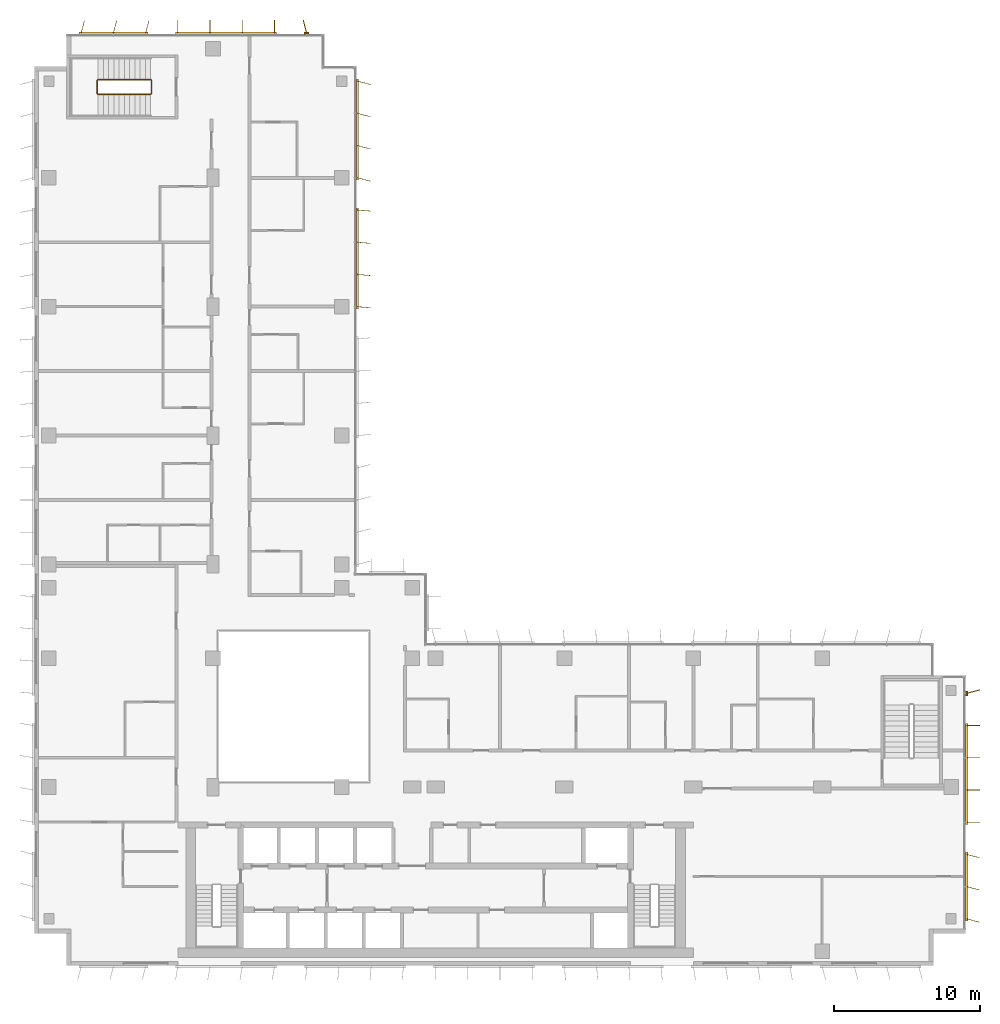
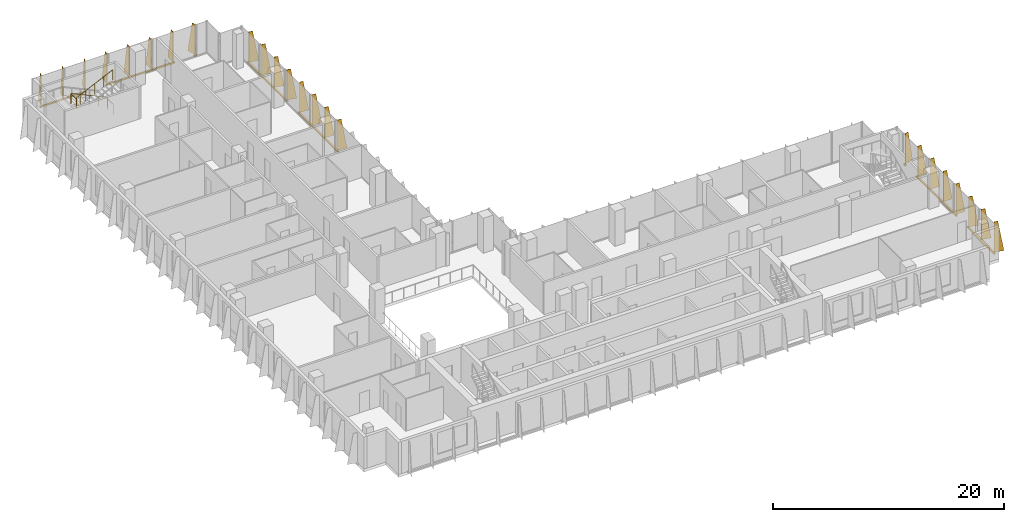
# One storey, part 21 of 21: 8 shading devices, 1 railing.
"""IFC4 building model written with IfcOpenShell, lengths in metres."""

import ifcopenshell
import ifcopenshell.guid

model = None  # the IFC model being written
_history = None  # IfcOwnerHistory: only IFC2X3 demands one
_inside = {}  # id of a spatial element -> (the spatial element, [elements in it])
_under = {}  # id of a project, library or spatial element -> (it, [spatial elements below it])
_declared = {}  # id of a project -> (the project, [libraries it declares])
_typed = {}  # id of a type object -> (the type object, [elements of that type])
_made_of = {}  # id of a material, layer set ... -> (it, [elements and type objects made of it])


def new_model(schema):
    """Start an empty IFC model of exactly this schema.

    Asked for "IFC4X3", IfcOpenShell would pick the latest addendum, in which some entities
    have other attributes; the version numbers below select the first issue.
    IFC2X3 requires an IfcOwnerHistory on every rooted entity: one is made here for all.
    """
    global model, _history
    if schema == "IFC4X3":
        model = ifcopenshell.file(schema_version=(4, 3, 0, 0))
    else:
        model = ifcopenshell.file(schema=schema)
    _inside.clear()
    _under.clear()
    _declared.clear()
    _typed.clear()
    _made_of.clear()
    _history = None
    if model.schema == "IFC2X3":
        org = make("IfcOrganization", Name="unknown")
        user = make(
            "IfcPersonAndOrganization",
            ThePerson=make("IfcPerson", FamilyName="unknown"),
            TheOrganization=org,
        )
        app = make(
            "IfcApplication",
            ApplicationDeveloper=org,
            Version="unknown",
            ApplicationFullName="unknown",
            ApplicationIdentifier="unknown",
        )
        _history = make(
            "IfcOwnerHistory",
            OwningUser=user,
            OwningApplication=app,
            ChangeAction="ADDED",
            CreationDate=0,
        )
    return model


def make(cls, **values):
    """One entity of the class cls with the attributes given. An attribute that is None is left unset."""
    return model.create_entity(
        cls, **{name: value for name, value in values.items() if value is not None}
    )


def rooted(cls, **values):
    """An entity with a GlobalId (a new one), such as an element, a storey or a relation."""
    return make(cls, GlobalId=ifcopenshell.guid.new(), OwnerHistory=_history, **values)


def si_unit(unit_type, name, prefix=None):
    """IfcSIUnit, for example si_unit("LENGTHUNIT", "METRE", prefix="MILLI")."""
    return make("IfcSIUnit", UnitType=unit_type, Prefix=prefix, Name=name)


def assignment(units):
    """IfcUnitAssignment: the units of a project."""
    return None if units is None else make("IfcUnitAssignment", Units=units)


def point(xyz):
    """IfcCartesianPoint."""
    return None if xyz is None else make("IfcCartesianPoint", Coordinates=xyz)


def direction(xyz):
    """IfcDirection."""
    return None if xyz is None else make("IfcDirection", DirectionRatios=xyz)


def frame(location, z_axis=None, x_axis=None):
    """IfcAxis2Placement3D, a coordinate frame: its origin and axes. An axis left out is left unset."""
    return make(
        "IfcAxis2Placement3D",
        Location=point(location),
        Axis=direction(z_axis),
        RefDirection=direction(x_axis),
    )


def frame_2d(location, x_axis=None):
    """IfcAxis2Placement2D, a coordinate frame in the plane: its origin and x axis."""
    return make(
        "IfcAxis2Placement2D", Location=point(location), RefDirection=direction(x_axis)
    )


def origin():
    """The frame at (0, 0, 0) with its axes left unset."""
    return frame((0.0, 0.0, 0.0))


def origin_2d():
    """The frame at (0, 0) in the plane with its x axis left unset."""
    return frame_2d((0.0, 0.0))


def place(relative_to, where):
    """IfcLocalPlacement: puts the frame where relative to a parent placement (None: the world)."""
    return make(
        "IfcLocalPlacement", PlacementRelTo=relative_to, RelativePlacement=where
    )


def context(
    kind, dimensions, precision=None, world=None, true_north=None, identifier=None
):
    """IfcGeometricRepresentationContext, for example the 3D "Model" context."""
    return make(
        "IfcGeometricRepresentationContext",
        ContextIdentifier=identifier,
        ContextType=kind,
        CoordinateSpaceDimension=dimensions,
        Precision=precision,
        WorldCoordinateSystem=world,
        TrueNorth=true_north,
    )


def subcontext(parent, identifier, kind, view, scale=None):
    """IfcGeometricRepresentationSubContext, for example "Body" below "Model"."""
    return make(
        "IfcGeometricRepresentationSubContext",
        ContextIdentifier=identifier,
        ContextType=kind,
        ParentContext=parent,
        TargetScale=scale,
        TargetView=view,
    )


def project(units=None, contexts=None):
    """IfcProject with its units and contexts."""
    return rooted(
        "IfcProject",
        Name="project",
        RepresentationContexts=contexts,
        UnitsInContext=assignment(units),
    )


def spatial(cls, under=None, at=None, **own):
    """A site, building, storey or space (cls), placed at a placement, below another one or the project."""
    s = rooted(cls, ObjectPlacement=at, **own)
    if under is not None:
        _under.setdefault(under.id(), (under, []))[1].append(s)
    return s


def polyline(points):
    """IfcPolyline through the points."""
    return make("IfcPolyline", Points=[point(p) for p in points])


def profile(cls, at=None, kind="AREA", **sizes):
    """A parametric profile (cls). Its sizes go by their IFC names, for example OverallWidth=200.0."""
    return make(cls, ProfileType=kind, Position=at, **sizes)


def rectangle(**sizes):
    """IfcRectangleProfileDef."""
    return profile("IfcRectangleProfileDef", **sizes)


def circle(**sizes):
    """IfcCircleProfileDef."""
    return profile("IfcCircleProfileDef", **sizes)


def outline(outer, holes=None, kind="AREA"):
    """IfcArbitraryClosedProfileDef: a profile drawn as a closed curve; with holes, ...WithVoids."""
    if holes is None:
        return make("IfcArbitraryClosedProfileDef", ProfileType=kind, OuterCurve=outer)
    return make(
        "IfcArbitraryProfileDefWithVoids",
        ProfileType=kind,
        OuterCurve=outer,
        InnerCurves=holes,
    )


def extrude(swept, where, along, depth):
    """IfcExtrudedAreaSolid: the profile swept, set in the frame where, extruded along a direction by depth."""
    return make(
        "IfcExtrudedAreaSolid",
        SweptArea=swept,
        Position=where,
        ExtrudedDirection=direction(along),
        Depth=depth,
    )


def shape(context_of_items, identifier, shape_type, items):
    """IfcShapeRepresentation: the items that make up one representation, for example the "Body"."""
    return make(
        "IfcShapeRepresentation",
        ContextOfItems=context_of_items,
        RepresentationIdentifier=identifier,
        RepresentationType=shape_type,
        Items=items,
    )


def source(mapping_origin, context_of_items, identifier, shape_type, items):
    """IfcRepresentationMap: a shape defined once, which mapped items show again and again."""
    return make(
        "IfcRepresentationMap",
        MappingOrigin=mapping_origin,
        MappedRepresentation=shape(context_of_items, identifier, shape_type, items),
    )


def transform(
    local_origin,
    x_axis=None,
    y_axis=None,
    z_axis=None,
    scale=None,
    scale2=None,
    scale3=None,
    uniform=True,
):
    """IfcCartesianTransformationOperator3D, or its non-uniform kind. x_axis, y_axis, z_axis: its Axis1, 2, 3."""
    if uniform:
        return make(
            "IfcCartesianTransformationOperator3D",
            Axis1=direction(x_axis),
            Axis2=direction(y_axis),
            LocalOrigin=point(local_origin),
            Scale=scale,
            Axis3=direction(z_axis),
        )
    return make(
        "IfcCartesianTransformationOperator3DnonUniform",
        Axis1=direction(x_axis),
        Axis2=direction(y_axis),
        LocalOrigin=point(local_origin),
        Scale=scale,
        Axis3=direction(z_axis),
        Scale2=scale2,
        Scale3=scale3,
    )


def mapped(mapping_source, mapping_target):
    """IfcMappedItem: shows the shape of a source again, moved by a transform."""
    return make(
        "IfcMappedItem", MappingSource=mapping_source, MappingTarget=mapping_target
    )


def material(Name=None, Category=None):
    """IfcMaterial."""
    return make("IfcMaterial", Name=Name, Category=Category)


def layer(
    of_material, thickness, ventilated=None, Name=None, Category=None, Priority=None
):
    """IfcMaterialLayer: one layer of a wall or slab, of a material (None: an air gap)."""
    return make(
        "IfcMaterialLayer",
        Material=of_material,
        LayerThickness=thickness,
        IsVentilated=ventilated,
        Name=Name,
        Category=Category,
        Priority=Priority,
    )


def layer_set(layers, Name=None):
    """IfcMaterialLayerSet."""
    return make("IfcMaterialLayerSet", MaterialLayers=layers, LayerSetName=Name)


def made_of(thing, what):
    """Note that an element or type object is made of a material, layer set ...; save() writes the relation."""
    if what is not None:
        _made_of.setdefault(what.id(), (what, []))[1].append(thing)
    return thing


def type_object(cls, material=None, **own):
    """A type object (cls), such as IfcWallType, which elements share."""
    return made_of(rooted(cls, **own), material)


def element(
    cls,
    number,
    at=None,
    inside=None,
    cuts=None,
    type_object=None,
    material=None,
    context=None,
    identifier="Body",
    shape_type=None,
    held_by="IfcProductDefinitionShape",
    body=None,
    shapes=None,
    **own,
):
    """One element of the class cls, such as IfcWall. Its Tag is "e" and its number.

    at: its placement. inside: the storey or other place that contains it. cuts: it is an
    opening in that element (IfcRelVoidsElement). A single representation is given by context,
    identifier, shape_type and body (its items); several are given by shapes. held_by: the class
    of the entity that holds the representations. save() writes the other relations.
    """
    e = rooted(cls, Tag="e%d" % number, ObjectPlacement=at, **own)
    if body is not None:
        shapes = [shape(context, identifier, shape_type, body)]
    if shapes is not None:
        e.Representation = make(held_by, Representations=shapes)
    if inside is not None:
        _inside.setdefault(inside.id(), (inside, []))[1].append(e)
    if cuts is not None:
        rooted(
            "IfcRelVoidsElement", RelatingBuildingElement=cuts, RelatedOpeningElement=e
        )
    if type_object is not None:
        _typed.setdefault(type_object.id(), (type_object, []))[1].append(e)
    return made_of(e, material)


def aggregate(whole, parts):
    """IfcRelAggregates: a whole, such as a stair, and the parts it consists of."""
    return rooted("IfcRelAggregates", RelatingObject=whole, RelatedObjects=parts)


def save(model, path):
    """Write the relations noted so far, then the file.

    IfcRelAggregates (storeys below a building ...), IfcRelContainedInSpatialStructure (elements
    in a storey), IfcRelDefinesByType, IfcRelAssociatesMaterial and IfcRelDeclares: one each for
    every whole, place, type object, material and project.
    """
    for whole, parts in _under.values():
        aggregate(whole, parts)
    for where, things in _inside.values():
        rooted(
            "IfcRelContainedInSpatialStructure",
            RelatedElements=things,
            RelatingStructure=where,
        )
    for kind, things in _typed.values():
        rooted("IfcRelDefinesByType", RelatedObjects=things, RelatingType=kind)
    for what, things in _made_of.values():
        rooted("IfcRelAssociatesMaterial", RelatedObjects=things, RelatingMaterial=what)
    for by, libraries in _declared.values():
        rooted("IfcRelDeclares", RelatingContext=by, RelatedDefinitions=libraries)
    model.write(path)


model = new_model("IFC4")

# Units and contexts
model_context = context("Model", 3, precision=1e-05, world=origin(), true_north=direction((0.0, 1.0)))
body_context = subcontext(model_context, "Body", "Model", "MODEL_VIEW")
ifc_project = project(units=[si_unit("LENGTHUNIT", "METRE"), si_unit("AREAUNIT", "SQUARE_METRE"), si_unit("VOLUMEUNIT", "CUBIC_METRE"), si_unit("PLANEANGLEUNIT", "RADIAN"), si_unit("MASSUNIT", "GRAM", prefix="KILO")], contexts=[model_context])

# Site, building, storey
site_placement = place(None, origin())
site = spatial("IfcSite", under=ifc_project, at=site_placement, CompositionType="ELEMENT")
building_placement = place(site_placement, origin())
building = spatial("IfcBuilding", under=site, at=building_placement, Name="Kemantara Hotel Tower", CompositionType="ELEMENT")
storey_placement = place(building_placement, frame((0.0, 0.0, 175.300048828125)))
storey = spatial("IfcBuildingStorey", under=building, at=storey_placement, Name="L43", CompositionType="ELEMENT", Elevation=175.300048828125)

# Railing
ifc_material_1 = material(Name="Stainless steel balustrade", Category="steel")
railing_type = type_object("IfcRailingType", Name="Stair guard 1100 mm", PredefinedType="GUARDRAIL", material=ifc_material_1)
railing_placement = place(storey_placement, frame((7.949951171875, 59.5, 3.699951171875)))
element("IfcRailing", 1, at=railing_placement, inside=storey, type_object=railing_type, Name="L43 ST4 stair guard 1", PredefinedType="GUARDRAIL", context=body_context, shape_type="SweptSolid", body=[
    extrude(circle(Radius=0.02392578125, at=origin_2d()), frame((0.0, 0.0, 1.076171875), z_axis=(-0.905994681025, 0.0, -0.423289071386), x_axis=(0.0, -1.0, 0.0)), (0.0, 0.0, 1.0), 3.973388671875),
    extrude(circle(Radius=0.02392578125, at=origin_2d()), frame((-3.599853515625, 0.0, -0.60595703125), z_axis=(-0.274243871929, 0.274243871929, -0.92172696468), x_axis=(-0.707106781187, -0.707106781187, 0.0)), (0.0, 0.0, 1.0), 0.1826171875),
    extrude(circle(Radius=0.02392578125, at=origin_2d()), frame((-3.64990234375, 0.050048828125, -0.77392578125), z_axis=(0.0, 1.0, 0.0), x_axis=(-1.0, 0.0, 0.0)), (0.0, 0.0, 1.0), 0.89990234375),
    extrude(circle(Radius=0.02392578125, at=origin_2d()), frame((-3.64990234375, 0.949951171875, -0.77392578125), z_axis=(0.707106781187, 0.707106781187, 0.0), x_axis=(-0.707106781187, 0.707106781187, 0.0)), (0.0, 0.0, 1.0), 0.07080078125),
    extrude(circle(Radius=0.02392578125, at=origin_2d()), frame((-3.599853515625, 1.0, -0.77392578125), z_axis=(0.906018243939, 0.0, -0.423238634402), x_axis=(0.0, 1.0, 0.0)), (0.0, 0.0, 1.0), 3.973388671875),
    extrude(circle(Radius=0.02392578125, at=origin_2d()), frame((0.0, 1.0, -2.45556640625), z_axis=(0.274243871929, -0.274243871929, -0.92172696468), x_axis=(0.707106781187, 0.707106781187, 0.0)), (0.0, 0.0, 1.0), 0.1826171875),
    extrude(circle(Radius=0.02392578125, at=origin_2d()), frame((0.050048828125, 0.949951171875, -2.6240234375), z_axis=(0.0, -1.0, 0.0), x_axis=(1.0, 0.0, 0.0)), (0.0, 0.0, 1.0), 0.89990234375),
    extrude(circle(Radius=0.02099609375, at=origin_2d()), origin(), (0.0, 0.0, 1.0), 1.052001953125),
    extrude(circle(Radius=0.02099609375, at=origin_2d()), frame((-0.89990234375, 0.0, -0.42041015625)), (0.0, 0.0, 1.0), 1.052001953125),
    extrude(circle(Radius=0.02099609375, at=origin_2d()), frame((-1.7998046875, 0.0, -0.8408203125)), (0.0, 0.0, 1.0), 1.052001953125),
    extrude(circle(Radius=0.02099609375, at=origin_2d()), frame((-2.699951171875, 0.0, -1.261474609375)), (0.0, 0.0, 1.0), 1.052001953125),
    extrude(circle(Radius=0.02099609375, at=origin_2d()), frame((-3.599853515625, 0.0, -1.681884765625)), (0.0, 0.0, 1.0), 1.052001953125),
    extrude(circle(Radius=0.02099609375, at=origin_2d()), frame((-3.64990234375, 0.050048828125, -1.85009765625)), (0.0, 0.0, 1.0), 1.052001953125),
    extrude(circle(Radius=0.02099609375, at=origin_2d()), frame((-3.64990234375, 0.949951171875, -1.85009765625)), (0.0, 0.0, 1.0), 1.052001953125),
    extrude(circle(Radius=0.02099609375, at=origin_2d()), frame((-3.599853515625, 1.0, -1.85009765625)), (0.0, 0.0, 1.0), 1.052001953125),
    extrude(circle(Radius=0.02099609375, at=origin_2d()), frame((-2.699951171875, 1.0, -2.2705078125)), (0.0, 0.0, 1.0), 1.052001953125),
    extrude(circle(Radius=0.02099609375, at=origin_2d()), frame((-1.7998046875, 1.0, -2.69091796875)), (0.0, 0.0, 1.0), 1.052001953125),
    extrude(circle(Radius=0.02099609375, at=origin_2d()), frame((-0.89990234375, 1.0, -3.111328125)), (0.0, 0.0, 1.0), 1.052001953125),
    extrude(circle(Radius=0.02099609375, at=origin_2d()), frame((0.0, 1.0, -3.53173828125)), (0.0, 0.0, 1.0), 1.052001953125),
    extrude(circle(Radius=0.02099609375, at=origin_2d()), frame((0.050048828125, 0.949951171875, -3.699951171875)), (0.0, 0.0, 1.0), 1.052001953125),
    extrude(circle(Radius=0.02099609375, at=origin_2d()), frame((0.050048828125, 0.050048828125, -3.699951171875)), (0.0, 0.0, 1.0), 1.052001953125),
])

# Shading devices
ifc_material_2 = material(Name="Perforated aluminium plate 4 mm bronze anodised", Category="aluminium")
ifc_layer_1 = layer(ifc_material_2, 0.0400390625)
ifc_layer_set_1 = layer_set([ifc_layer_1], Name="Perforated aluminium plate 4 mm bronze anodised")
shading_device_type_1 = type_object("IfcShadingDeviceType", Name="SCREEN FIN CASSETTE, 3 BLADES AT -15.0 DEG, 3200 HIGH", PredefinedType="USERDEFINED", material=ifc_layer_set_1)
shared_shape_1 = source(origin(), body_context, "Body", "SweptSolid", [
    extrude(rectangle(XDim=4.699951171875, YDim=0.14990234375, at=origin_2d()), frame((2.199951171875, -0.074951171875, -0.14990234375), z_axis=(0.0, 0.0, 1.0), x_axis=(1.0, 0.0, 0.0)), (0.0, 0.0, 1.0), 0.14990234375),
    extrude(outline(polyline([(0.0, 0.0), (0.89990234375, 0.0), (0.35009765625, 3.199951171875), (0.0, 3.199951171875), (0.0, 0.0)])), frame((0.019287109375, -0.080078125, 0.0), z_axis=(-0.966437683387, 0.256901156343, 0.0), x_axis=(-0.256901156343, -0.966437683387, 0.0)), (0.0, 0.0, 1.0), 0.039794921875),
    extrude(outline(polyline([(0.0, 0.0), (0.89990234375, 0.0), (0.35009765625, 3.199951171875), (0.0, 3.199951171875), (0.0, 0.0)])), frame((2.21923828125, -0.080078125, 0.0), z_axis=(-0.966437683387, 0.256901156343, 0.0), x_axis=(-0.256901156343, -0.966437683387, 0.0)), (0.0, 0.0, 1.0), 0.039794921875),
    extrude(outline(polyline([(0.0, 0.0), (0.89990234375, 0.0), (0.35009765625, 3.199951171875), (0.0, 3.199951171875), (0.0, 0.0)])), frame((4.41943359375, -0.080078125, 0.0), z_axis=(-0.966837822169, 0.255391122837, 0.0), x_axis=(-0.255391122837, -0.966837822169, 0.0)), (0.0, 0.0, 1.0), 0.0400390625),
])
for number, where, z_axis, x_axis, name in (
    (2, (7.60009765625, 63.60009765625, 0.099853515625), (0.0, 0.0, 1.0), (-1.0, 0.0, 0.0), "SCREEN FIN CASSETTE L43 T3-R02-3"),
    (3, (63.60009765625, 3.199951171875, 0.099853515625), (0.0, 0.0, 1.0), (0.0, 1.0, 0.0), "SCREEN FIN CASSETTE L43 T3-R11-1"),
):
    element("IfcShadingDevice", number, at=place(storey_placement, frame(where, z_axis=z_axis, x_axis=x_axis)), inside=storey, type_object=shading_device_type_1, Name=name, ObjectType="SCREEN FIN", PredefinedType="USERDEFINED", context=body_context, shape_type="MappedRepresentation", body=[
        mapped(shared_shape_1, transform((0.0, 0.0, 0.0))),
    ])
ifc_layer_2 = layer(ifc_material_2, 0.0400390625)
ifc_layer_set_2 = layer_set([ifc_layer_2], Name="Perforated aluminium plate 4 mm bronze anodised")
shading_device_type_2 = type_object("IfcShadingDeviceType", Name="SCREEN FIN CASSETTE, 4 BLADES AT -5.0 DEG, 3200 HIGH", PredefinedType="USERDEFINED", material=ifc_layer_set_2)
shared_shape_2 = source(origin(), body_context, "Body", "SweptSolid", [
    extrude(rectangle(XDim=6.89990234375, YDim=0.14990234375, at=origin_2d()), frame((3.300048828125, -0.074951171875, -0.14990234375), z_axis=(0.0, 0.0, 1.0), x_axis=(1.0, 0.0, 0.0)), (0.0, 0.0, 1.0), 0.14990234375),
    extrude(outline(polyline([(0.0, 0.0), (0.89990234375, 0.0), (0.35009765625, 3.199951171875), (0.0, 3.199951171875), (0.0, 0.0)])), frame((0.02001953125, -0.07666015625, 0.0), z_axis=(-0.996376129781, 0.085056498884, 0.0), x_axis=(-0.085056498884, -0.996376129781, 0.0)), (0.0, 0.0, 1.0), 0.040283203125),
    extrude(outline(polyline([(0.0, 0.0), (0.89990234375, 0.0), (0.35009765625, 3.199951171875), (0.0, 3.199951171875), (0.0, 0.0)])), frame((2.219970703125, -0.07666015625, 0.0), z_axis=(-0.996331773833, 0.085574508182, 0.0), x_axis=(-0.085574508182, -0.996331773833, 0.0)), (0.0, 0.0, 1.0), 0.0400390625),
    extrude(outline(polyline([(0.0, 0.0), (0.89990234375, 0.0), (0.35009765625, 3.199951171875), (0.0, 3.199951171875), (0.0, 0.0)])), frame((4.419921875, -0.07666015625, 0.0), z_axis=(-0.996331773833, 0.085574508182, 0.0), x_axis=(-0.085574508182, -0.996331773833, 0.0)), (0.0, 0.0, 1.0), 0.0400390625),
    extrude(outline(polyline([(0.0, 0.0), (0.89990234375, 0.0), (0.35009765625, 3.199951171875), (0.0, 3.199951171875), (0.0, 0.0)])), frame((6.619873046875, -0.07666015625, 0.0), z_axis=(-0.996331773833, 0.085574508182, 0.0), x_axis=(-0.085574508182, -0.996331773833, 0.0)), (0.0, 0.0, 1.0), 0.0400390625),
])
shading_device_1_placement = place(storey_placement, frame((22.0, 45.0, 0.099853515625), z_axis=(0.0, 0.0, 1.0), x_axis=(0.0, 1.0, 0.0)))
element("IfcShadingDevice", 4, at=shading_device_1_placement, inside=storey, type_object=shading_device_type_2, Name="SCREEN FIN CASSETTE L43 T3-R17-3", ObjectType="SCREEN FIN", PredefinedType="USERDEFINED", context=body_context, shape_type="MappedRepresentation", body=[
    mapped(shared_shape_2, transform((0.0, 0.0, 0.0))),
])
ifc_layer_3 = layer(ifc_material_2, 0.0400390625)
ifc_layer_set_3 = layer_set([ifc_layer_3], Name="Perforated aluminium plate 4 mm bronze anodised")
shading_device_type_3 = type_object("IfcShadingDeviceType", Name="SCREEN FIN CASSETTE, 4 BLADES AT +0.0 DEG, 3200 HIGH", PredefinedType="USERDEFINED", material=ifc_layer_set_3)
shared_shape_3 = source(origin(), body_context, "Body", "SweptSolid", [
    extrude(rectangle(XDim=6.89990234375, YDim=0.14990234375, at=origin_2d()), frame((3.300048828125, -0.074951171875, -0.14990234375), z_axis=(0.0, 0.0, 1.0), x_axis=(1.0, 0.0, 0.0)), (0.0, 0.0, 1.0), 0.14990234375),
    extrude(outline(polyline([(0.0, 0.0), (0.89990234375, 0.0), (0.35009765625, 3.199951171875), (0.0, 3.199951171875), (0.0, 0.0)])), frame((0.02001953125, -0.074951171875, 0.0), z_axis=(-1.0, 0.0, 0.0), x_axis=(0.0, -1.0, 0.0)), (0.0, 0.0, 1.0), 0.0400390625),
    extrude(outline(polyline([(0.0, 0.0), (0.89990234375, 0.0), (0.35009765625, 3.199951171875), (0.0, 3.199951171875), (0.0, 0.0)])), frame((2.219970703125, -0.074951171875, 0.0), z_axis=(-1.0, 0.0, 0.0), x_axis=(0.0, -1.0, 0.0)), (0.0, 0.0, 1.0), 0.0400390625),
    extrude(outline(polyline([(0.0, 0.0), (0.89990234375, 0.0), (0.35009765625, 3.199951171875), (0.0, 3.199951171875), (0.0, 0.0)])), frame((4.419921875, -0.074951171875, 0.0), z_axis=(-1.0, 0.0, 0.0), x_axis=(0.0, -1.0, 0.0)), (0.0, 0.0, 1.0), 0.0400390625),
    extrude(outline(polyline([(0.0, 0.0), (0.89990234375, 0.0), (0.35009765625, 3.199951171875), (0.0, 3.199951171875), (0.0, 0.0)])), frame((6.6201171875, -0.074951171875, 0.0), z_axis=(-1.0, 0.0, 0.0), x_axis=(0.0, -1.0, 0.0)), (0.0, 0.0, 1.0), 0.0400390625),
])
for number, where, z_axis, x_axis, name in (
    (5, (16.39990234375, 63.60009765625, 0.099853515625), (0.0, 0.0, 1.0), (-1.0, 0.0, 0.0), "SCREEN FIN CASSETTE L43 T3-R02-2"),
    (6, (63.60009765625, 9.800048828125, 0.099853515625), (0.0, 0.0, 1.0), (0.0, 1.0, 0.0), "SCREEN FIN CASSETTE L43 T3-R11-2"),
):
    element("IfcShadingDevice", number, at=place(storey_placement, frame(where, z_axis=z_axis, x_axis=x_axis)), inside=storey, type_object=shading_device_type_3, Name=name, ObjectType="SCREEN FIN", PredefinedType="USERDEFINED", context=body_context, shape_type="MappedRepresentation", body=[
        mapped(shared_shape_3, transform((0.0, 0.0, 0.0))),
    ])
ifc_layer_4 = layer(ifc_material_2, 0.0400390625)
ifc_layer_set_4 = layer_set([ifc_layer_4], Name="Perforated aluminium plate 4 mm bronze anodised")
shading_device_type_4 = type_object("IfcShadingDeviceType", Name="SCREEN FIN CASSETTE, 4 BLADES AT -15.0 DEG, 3200 HIGH", PredefinedType="USERDEFINED", material=ifc_layer_set_4)
shared_shape_4 = source(origin(), body_context, "Body", "SweptSolid", [
    extrude(rectangle(XDim=6.89990234375, YDim=0.14990234375, at=origin_2d()), frame((3.300048828125, -0.074951171875, -0.14990234375), z_axis=(0.0, 0.0, 1.0), x_axis=(1.0, 0.0, 0.0)), (0.0, 0.0, 1.0), 0.14990234375),
    extrude(outline(polyline([(0.0, 0.0), (0.89990234375, 0.0), (0.35009765625, 3.199951171875), (0.0, 3.199951171875), (0.0, 0.0)])), frame((0.019287109375, -0.080078125, 0.0), z_axis=(-0.966437683387, 0.256901156343, 0.0), x_axis=(-0.256901156343, -0.966437683387, 0.0)), (0.0, 0.0, 1.0), 0.039794921875),
    extrude(outline(polyline([(0.0, 0.0), (0.89990234375, 0.0), (0.35009765625, 3.199951171875), (0.0, 3.199951171875), (0.0, 0.0)])), frame((2.21923828125, -0.080078125, 0.0), z_axis=(-0.966437683387, 0.256901156343, 0.0), x_axis=(-0.256901156343, -0.966437683387, 0.0)), (0.0, 0.0, 1.0), 0.039794921875),
    extrude(outline(polyline([(0.0, 0.0), (0.89990234375, 0.0), (0.35009765625, 3.199951171875), (0.0, 3.199951171875), (0.0, 0.0)])), frame((4.41943359375, -0.080078125, 0.0), z_axis=(-0.966837822169, 0.255391122837, 0.0), x_axis=(-0.255391122837, -0.966837822169, 0.0)), (0.0, 0.0, 1.0), 0.0400390625),
    extrude(outline(polyline([(0.0, 0.0), (0.89990234375, 0.0), (0.35009765625, 3.199951171875), (0.0, 3.199951171875), (0.0, 0.0)])), frame((6.619384765625, -0.080078125, 0.0), z_axis=(-0.966837822169, 0.255391122837, 0.0), x_axis=(-0.255391122837, -0.966837822169, 0.0)), (0.0, 0.0, 1.0), 0.0400390625),
])
shading_device_2_placement = place(storey_placement, frame((22.0, 53.800048828125, 0.099853515625), z_axis=(0.0, 0.0, 1.0), x_axis=(0.0, 1.0, 0.0)))
element("IfcShadingDevice", 7, at=shading_device_2_placement, inside=storey, type_object=shading_device_type_4, Name="SCREEN FIN CASSETTE L43 T3-R17-4", ObjectType="SCREEN FIN", PredefinedType="USERDEFINED", context=body_context, shape_type="MappedRepresentation", body=[
    mapped(shared_shape_4, transform((0.0, 0.0, 0.0))),
])
ifc_layer_5 = layer(ifc_material_2, 0.0400390625)
ifc_layer_set_5 = layer_set([ifc_layer_5], Name="Perforated aluminium plate 4 mm bronze anodised")
shading_device_type_5 = type_object("IfcShadingDeviceType", Name="SCREEN FIN CASSETTE, 1 BLADE AT +15.0 DEG, 3200 HIGH", PredefinedType="USERDEFINED", material=ifc_layer_set_5)
shared_shape_5 = source(origin(), body_context, "Body", "SweptSolid", [
    extrude(rectangle(XDim=0.300048828125, YDim=0.14990234375, at=origin_2d()), frame((0.0, -0.074951171875, -0.14990234375), z_axis=(0.0, 0.0, 1.0), x_axis=(1.0, 0.0, 0.0)), (0.0, 0.0, 1.0), 0.14990234375),
    extrude(outline(polyline([(0.0, 0.0), (0.89990234375, 0.0), (0.35009765625, 3.199951171875), (0.0, 3.199951171875), (0.0, 0.0)])), frame((0.019287109375, -0.06982421875, 0.0), z_axis=(-0.966437683387, -0.256901156343, 0.0), x_axis=(0.256901156343, -0.966437683387, 0.0)), (0.0, 0.0, 1.0), 0.039794921875),
])
for number, where, z_axis, x_axis, name in (
    (8, (18.60009765625, 63.60009765625, 0.099853515625), (0.0, 0.0, 1.0), (-1.0, 0.0, 0.0), "SCREEN FIN CASSETTE L43 T3-R02-1"),
    (9, (63.60009765625, 18.60009765625, 0.099853515625), (0.0, 0.0, 1.0), (0.0, 1.0, 0.0), "SCREEN FIN CASSETTE L43 T3-R11-3"),
):
    element("IfcShadingDevice", number, at=place(storey_placement, frame(where, z_axis=z_axis, x_axis=x_axis)), inside=storey, type_object=shading_device_type_5, Name=name, ObjectType="SCREEN FIN", PredefinedType="USERDEFINED", context=body_context, shape_type="MappedRepresentation", body=[
        mapped(shared_shape_5, transform((0.0, 0.0, 0.0))),
    ])

save(model, "model.ifc")
